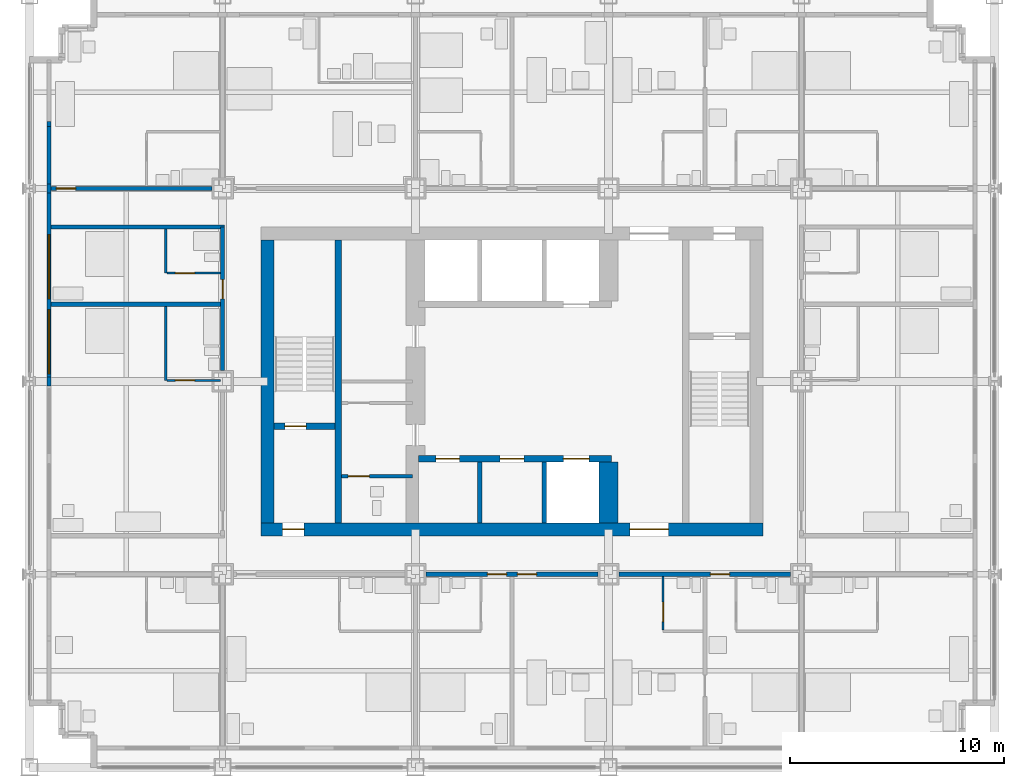
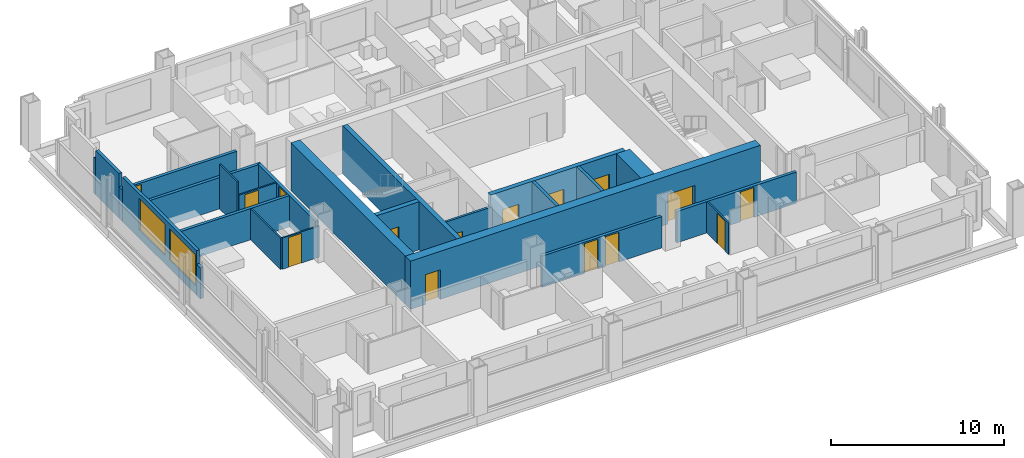
# One storey, part 10 of 17: 25 walls, 15 doors, 2 windows, 17 openings.
"""IFC4 building model written with IfcOpenShell, lengths in metres."""

from ifc_helpers import new_model, si_unit, direction, frame, frame_2d, origin, place, context, subcontext, project, spatial, rectangle, extrude, material, layer, layer_set, type_object, element, fill, save


model = new_model("IFC4")

# Units and contexts
model_context = context("Model", 3, precision=1e-05, world=origin(), true_north=direction((0.0, 1.0)))
body_context = subcontext(model_context, "Body", "Model", "MODEL_VIEW")
ifc_project = project(units=[si_unit("LENGTHUNIT", "METRE"), si_unit("AREAUNIT", "SQUARE_METRE"), si_unit("VOLUMEUNIT", "CUBIC_METRE"), si_unit("PLANEANGLEUNIT", "RADIAN"), si_unit("MASSUNIT", "GRAM", prefix="KILO")], contexts=[model_context])

# Site, building, storey
site_placement = place(None, origin())
site = spatial("IfcSite", under=ifc_project, at=site_placement, CompositionType="ELEMENT")
building_placement = place(site_placement, origin())
building = spatial("IfcBuilding", under=site, at=building_placement, Name="Loomwork Tower", CompositionType="ELEMENT")
storey_placement = place(building_placement, frame((0.0, 0.0, 152.0)))
storey = spatial("IfcBuildingStorey", under=building, at=storey_placement, Name="L41", CompositionType="ELEMENT", Elevation=152.0)

# Wall
ifc_material_1 = material(Name="Concrete 14000 psi (97 MPa)", Category="concrete")
ifc_layer_1 = layer(ifc_material_1, 0.300048828125)
ifc_layer_set_1 = layer_set([ifc_layer_1], Name="Core shear wall 300")
wall_type_1 = type_object("IfcWallType", Name="Core shear wall 300", PredefinedType="SHEAR", material=ifc_layer_set_1)
wall_1_placement = place(storey_placement, frame((14.39990234375, 11.39990234375, 0.0), z_axis=(0.0, 0.0, 1.0), x_axis=(0.0, 1.0, 0.0)))
element("IfcWall", 1, at=wall_1_placement, inside=storey, type_object=wall_type_1, Name="Stair A east wall L41", PredefinedType="SHEAR", context=body_context, shape_type="SweptSolid", body=[
    extrude(rectangle(XDim=13.2001953125, YDim=0.300048828125, at=frame_2d((6.60009765625, 0.0))), origin(), (0.0, 0.0, 1.0), 3.39990234375),
])

# Wall, opening, door
wall_2_placement = place(storey_placement, frame((11.39990234375, 15.89990234375, 0.0), z_axis=(0.0, 0.0, 1.0), x_axis=(1.0, 0.0, 0.0)))
wall_2 = element("IfcWall", 2, at=wall_2_placement, inside=storey, type_object=wall_type_1, Name="Stair A south wall L41", PredefinedType="SHEAR", context=body_context, shape_type="SweptSolid", body=[
    extrude(rectangle(XDim=2.85009765625, YDim=0.300048828125, at=frame_2d((1.425048828125, 0.0))), origin(), (0.0, 0.0, 1.0), 3.39990234375),
])
opening_1_placement = place(wall_2_placement, frame((0.5, 0.0, 0.0)))
opening_1 = element("IfcOpeningElement", 3, at=opening_1_placement, cuts=wall_2, Name="Opening D4", PredefinedType="OPENING", context=body_context, shape_type="SweptSolid", body=[
    extrude(rectangle(XDim=1.0, YDim=2.10009765625, at=frame_2d((0.5, 1.050048828125))), frame((0.0, 0.159912109375, 0.0), z_axis=(0.0, -1.0, 0.0), x_axis=(1.0, 0.0, 0.0)), (0.0, 0.0, 1.0), 0.320068359375),
])
ifc_material_2 = material(Name="Hollow metal door and frame")
door_type_1 = type_object("IfcDoorType", Name="Stair door 1000", OperationType="SINGLE_SWING_RIGHT", PredefinedType="DOOR", material=ifc_material_2)
door_1_placement = place(opening_1_placement, origin())
door_1 = element("IfcDoor", 4, at=door_1_placement, inside=storey, type_object=door_type_1, Name="Stair A door", OperationType="SINGLE_SWING_LEFT", OverallHeight=2.10009765625, OverallWidth=1.0, PredefinedType="DOOR", context=body_context, shape_type="SweptSolid", body=[
    extrude(rectangle(XDim=1.0, YDim=2.10009765625, at=frame_2d((0.5, 1.050048828125))), frame((0.0, 0.02490234375, 0.0), z_axis=(0.0, -1.0, 0.0), x_axis=(1.0, 0.0, 0.0)), (0.0, 0.0, 1.0), 0.050048828125),
])
fill(opening_1, door_1)

# Wall, openings, doors
wall_3_placement = place(storey_placement, frame((18.14990234375, 14.39990234375, 0.0), z_axis=(0.0, 0.0, 1.0), x_axis=(1.0, 0.0, 0.0)))
wall_3 = element("IfcWall", 5, at=wall_3_placement, inside=storey, type_object=wall_type_1, Name="Lift front wall south L41", PredefinedType="SHEAR", context=body_context, shape_type="SweptSolid", body=[
    extrude(rectangle(XDim=9.0, YDim=0.300048828125, at=frame_2d((4.5, 0.0))), origin(), (0.0, 0.0, 1.0), 3.39990234375),
])
opening_2_placement = place(wall_3_placement, frame((0.800048828125, 0.0, 0.0)))
opening_2 = element("IfcOpeningElement", 6, at=opening_2_placement, cuts=wall_3, Name="Opening LD1", PredefinedType="OPENING", context=body_context, shape_type="SweptSolid", body=[
    extrude(rectangle(XDim=1.10009765625, YDim=2.10009765625, at=frame_2d((0.550048828125, 1.050048828125))), frame((0.0, 0.159912109375, 0.0), z_axis=(0.0, -1.0, 0.0), x_axis=(1.0, 0.0, 0.0)), (0.0, 0.0, 1.0), 0.320068359375),
])
opening_3_placement = place(wall_3_placement, frame((3.800048828125, 0.0, 0.0)))
opening_3 = element("IfcOpeningElement", 7, at=opening_3_placement, cuts=wall_3, Name="Opening LD1", PredefinedType="OPENING", context=body_context, shape_type="SweptSolid", body=[
    extrude(rectangle(XDim=1.10009765625, YDim=2.10009765625, at=frame_2d((0.550048828125, 1.050048828125))), frame((0.0, 0.159912109375, 0.0), z_axis=(0.0, -1.0, 0.0), x_axis=(1.0, 0.0, 0.0)), (0.0, 0.0, 1.0), 0.320068359375),
])
opening_4_placement = place(wall_3_placement, frame((6.75, 0.0, 0.0)))
opening_4 = element("IfcOpeningElement", 8, at=opening_4_placement, cuts=wall_3, Name="Opening LD2", PredefinedType="OPENING", context=body_context, shape_type="SweptSolid", body=[
    extrude(rectangle(XDim=1.199951171875, YDim=2.10009765625, at=frame_2d((0.60009765625, 1.050048828125))), frame((0.0, 0.159912109375, 0.0), z_axis=(0.0, -1.0, 0.0), x_axis=(1.0, 0.0, 0.0)), (0.0, 0.0, 1.0), 0.320068359375),
])
ifc_material_3 = material(Name="Hollow metal door and frame")
door_type_2 = type_object("IfcDoorType", Name="Lift landing door 1100", OperationType="SLIDING_TO_LEFT", PredefinedType="DOOR", material=ifc_material_3)
door_2_placement = place(opening_2_placement, origin())
door_2 = element("IfcDoor", 9, at=door_2_placement, inside=storey, type_object=door_type_2, Name="Lift landing door LB1", OperationType="SLIDING_TO_LEFT", OverallHeight=2.10009765625, OverallWidth=1.10009765625, PredefinedType="DOOR", context=body_context, shape_type="SweptSolid", body=[
    extrude(rectangle(XDim=1.10009765625, YDim=2.10009765625, at=frame_2d((0.550048828125, 1.050048828125))), frame((0.0, 0.02490234375, 0.0), z_axis=(0.0, -1.0, 0.0), x_axis=(1.0, 0.0, 0.0)), (0.0, 0.0, 1.0), 0.050048828125),
])
fill(opening_2, door_2)
door_3_placement = place(opening_3_placement, origin())
door_3 = element("IfcDoor", 10, at=door_3_placement, inside=storey, type_object=door_type_2, Name="Lift landing door LB2", OperationType="SLIDING_TO_LEFT", OverallHeight=2.10009765625, OverallWidth=1.10009765625, PredefinedType="DOOR", context=body_context, shape_type="SweptSolid", body=[
    extrude(rectangle(XDim=1.10009765625, YDim=2.10009765625, at=frame_2d((0.550048828125, 1.050048828125))), frame((0.0, 0.02490234375, 0.0), z_axis=(0.0, -1.0, 0.0), x_axis=(1.0, 0.0, 0.0)), (0.0, 0.0, 1.0), 0.050048828125),
])
fill(opening_3, door_3)
ifc_material_4 = material(Name="Hollow metal door and frame")
door_type_3 = type_object("IfcDoorType", Name="Lift landing door 1200", OperationType="SLIDING_TO_LEFT", PredefinedType="DOOR", material=ifc_material_4)
door_4_placement = place(opening_4_placement, origin())
door_4 = element("IfcDoor", 11, at=door_4_placement, inside=storey, type_object=door_type_3, Name="Lift landing door LF1", OperationType="SLIDING_TO_LEFT", OverallHeight=2.10009765625, OverallWidth=1.199951171875, PredefinedType="DOOR", context=body_context, shape_type="SweptSolid", body=[
    extrude(rectangle(XDim=1.199951171875, YDim=2.10009765625, at=frame_2d((0.60009765625, 1.050048828125))), frame((0.0, 0.02490234375, 0.0), z_axis=(0.0, -1.0, 0.0), x_axis=(1.0, 0.0, 0.0)), (0.0, 0.0, 1.0), 0.050048828125),
])
fill(opening_4, door_4)

ifc_material_5 = material(Name="Concrete 14000 psi (97 MPa)", Category="concrete")
ifc_layer_2 = layer(ifc_material_5, 0.60009765625)
ifc_layer_set_2 = layer_set([ifc_layer_2], Name="Core shear wall 600")
wall_type_2 = type_object("IfcWallType", Name="Core shear wall 600", PredefinedType="SHEAR", material=ifc_layer_set_2)
wall_4_placement = place(storey_placement, frame((10.800048828125, 11.10009765625, 0.0), z_axis=(0.0, 0.0, 1.0), x_axis=(1.0, 0.0, 0.0)))
wall_4 = element("IfcWall", 12, at=wall_4_placement, inside=storey, type_object=wall_type_2, Name="Core wall south L41", PredefinedType="SHEAR", context=body_context, shape_type="SweptSolid", body=[
    extrude(rectangle(XDim=23.39990234375, YDim=0.60009765625, at=frame_2d((11.699951171875, 0.0))), origin(), (0.0, 0.0, 1.0), 3.39990234375),
])
opening_5_placement = place(wall_4_placement, frame((1.0, 0.0, 0.0)))
opening_5 = element("IfcOpeningElement", 13, at=opening_5_placement, cuts=wall_4, Name="Opening D4", PredefinedType="OPENING", context=body_context, shape_type="SweptSolid", body=[
    extrude(rectangle(XDim=1.0, YDim=2.10009765625, at=frame_2d((0.5, 1.050048828125))), frame((0.0, 0.31005859375, 0.0), z_axis=(0.0, -1.0, 0.0), x_axis=(1.0, 0.0, 0.0)), (0.0, 0.0, 1.0), 0.6201171875),
])
opening_6_placement = place(wall_4_placement, frame((17.199951171875, 0.0, 0.0)))
opening_6 = element("IfcOpeningElement", 14, at=opening_6_placement, cuts=wall_4, Name="Opening D6", PredefinedType="OPENING", context=body_context, shape_type="SweptSolid", body=[
    extrude(rectangle(XDim=1.800048828125, YDim=2.10009765625, at=frame_2d((0.89990234375, 1.050048828125))), frame((0.0, 0.31005859375, 0.0), z_axis=(0.0, -1.0, 0.0), x_axis=(1.0, 0.0, 0.0)), (0.0, 0.0, 1.0), 0.6201171875),
])
ifc_material_6 = material(Name="Hollow metal door and frame")
door_type_4 = type_object("IfcDoorType", Name="Lobby passage double door 1800", OperationType="DOUBLE_DOOR_SINGLE_SWING", PredefinedType="DOOR", material=ifc_material_6)
door_5_placement = place(opening_6_placement, origin())
door_5 = element("IfcDoor", 15, at=door_5_placement, inside=storey, type_object=door_type_4, Name="Lobby passage door south", OperationType="DOUBLE_DOOR_SINGLE_SWING", OverallHeight=2.10009765625, OverallWidth=1.800048828125, PredefinedType="DOOR", context=body_context, shape_type="SweptSolid", body=[
    extrude(rectangle(XDim=1.800048828125, YDim=2.10009765625, at=frame_2d((0.89990234375, 1.050048828125))), frame((0.0, 0.02490234375, 0.0), z_axis=(0.0, -1.0, 0.0), x_axis=(1.0, 0.0, 0.0)), (0.0, 0.0, 1.0), 0.050048828125),
])
fill(opening_6, door_5)
door_6_placement = place(opening_5_placement, origin())
door_6 = element("IfcDoor", 16, at=door_6_placement, inside=storey, type_object=door_type_1, Name="Stair A vestibule door", OperationType="SINGLE_SWING_LEFT", OverallHeight=2.10009765625, OverallWidth=1.0, PredefinedType="DOOR", context=body_context, shape_type="SweptSolid", body=[
    extrude(rectangle(XDim=1.0, YDim=2.10009765625, at=frame_2d((0.5, 1.050048828125))), frame((0.0, 0.02490234375, 0.0), z_axis=(0.0, -1.0, 0.0), x_axis=(1.0, 0.0, 0.0)), (0.0, 0.0, 1.0), 0.050048828125),
])
fill(opening_5, door_6)

# Walls
wall_5_placement = place(storey_placement, frame((11.10009765625, 11.39990234375, 0.0), z_axis=(0.0, 0.0, 1.0), x_axis=(0.0, 1.0, 0.0)))
element("IfcWall", 17, at=wall_5_placement, inside=storey, type_object=wall_type_2, Name="Core wall west L41", PredefinedType="SHEAR", context=body_context, shape_type="SweptSolid", body=[
    extrude(rectangle(XDim=13.2001953125, YDim=0.60009765625, at=frame_2d((6.60009765625, 0.0))), origin(), (0.0, 0.0, 1.0), 3.39990234375),
])
ifc_material_7 = material(Name="Concrete 14000 psi (97 MPa)", Category="concrete")
ifc_layer_3 = layer(ifc_material_7, 0.89990234375)
ifc_layer_set_3 = layer_set([ifc_layer_3], Name="Core shear wall 900")
wall_type_3 = type_object("IfcWallType", Name="Core shear wall 900", PredefinedType="SHEAR", material=ifc_layer_set_3)
wall_6_placement = place(storey_placement, frame((27.0, 11.39990234375, 0.0), z_axis=(0.0, 0.0, 1.0), x_axis=(0.0, 1.0, 0.0)))
element("IfcWall", 18, at=wall_6_placement, inside=storey, type_object=wall_type_3, Name="Lift shaft end wall south L41", PredefinedType="SHEAR", context=body_context, shape_type="SweptSolid", body=[
    extrude(rectangle(XDim=2.85009765625, YDim=0.89990234375, at=frame_2d((1.425048828125, 0.0))), origin(), (0.0, 0.0, 1.0), 3.39990234375),
])

# Wall, openings, doors
ifc_material_8 = material(Name="Gypsum board on steel studs, one-hour", Category="steel")
ifc_layer_4 = layer(ifc_material_8, 0.199951171875)
ifc_layer_set_4 = layer_set([ifc_layer_4], Name="Corridor wall 200")
wall_type_4 = type_object("IfcWallType", Name="Corridor wall 200", PredefinedType="PARTITIONING", material=ifc_layer_set_4)
wall_7_placement = place(storey_placement, frame((18.5, 9.0, 0.0), z_axis=(0.0, 0.0, 1.0), x_axis=(1.0, 0.0, 0.0)))
wall_7 = element("IfcWall", 19, at=wall_7_placement, inside=storey, type_object=wall_type_4, Name="South corridor wall 3", PredefinedType="PARTITIONING", context=body_context, shape_type="SweptSolid", body=[
    extrude(rectangle(XDim=8.0, YDim=0.199951171875, at=frame_2d((4.0, 0.0))), origin(), (0.0, 0.0, 1.0), 2.210205078125),
])
opening_7_placement = place(wall_7_placement, frame((2.85009765625, 0.0, 0.0)))
opening_7 = element("IfcOpeningElement", 20, at=opening_7_placement, cuts=wall_7, Name="Opening D1", PredefinedType="OPENING", context=body_context, shape_type="SweptSolid", body=[
    extrude(rectangle(XDim=0.89990234375, YDim=2.10009765625, at=frame_2d((0.449951171875, 1.050048828125))), frame((0.0, 0.10986328125, 0.0), z_axis=(0.0, -1.0, 0.0), x_axis=(1.0, 0.0, 0.0)), (0.0, 0.0, 1.0), 0.219970703125),
])
opening_8_placement = place(wall_7_placement, frame((4.25, 0.0, 0.0)))
opening_8 = element("IfcOpeningElement", 21, at=opening_8_placement, cuts=wall_7, Name="Opening D1", PredefinedType="OPENING", context=body_context, shape_type="SweptSolid", body=[
    extrude(rectangle(XDim=0.89990234375, YDim=2.10009765625, at=frame_2d((0.449951171875, 1.050048828125))), frame((0.0, 0.10986328125, 0.0), z_axis=(0.0, -1.0, 0.0), x_axis=(1.0, 0.0, 0.0)), (0.0, 0.0, 1.0), 0.219970703125),
])
ifc_material_9 = material(Name="Hollow metal door and frame")
door_type_5 = type_object("IfcDoorType", Name="Guest room entry door 900", OperationType="SINGLE_SWING_LEFT", PredefinedType="DOOR", material=ifc_material_9)
door_7_placement = place(opening_7_placement, frame((0.89990234375, 0.0, 0.0), z_axis=(0.0, 0.0, 1.0), x_axis=(-1.0, 0.0, 0.0)))
door_7 = element("IfcDoor", 22, at=door_7_placement, inside=storey, type_object=door_type_5, Name="Guest room entry door L41 3", OperationType="SINGLE_SWING_LEFT", OverallHeight=2.10009765625, OverallWidth=0.89990234375, PredefinedType="DOOR", context=body_context, shape_type="SweptSolid", body=[
    extrude(rectangle(XDim=0.89990234375, YDim=2.10009765625, at=frame_2d((0.449951171875, 1.050048828125))), frame((0.0, 0.02490234375, 0.0), z_axis=(0.0, -1.0, 0.0), x_axis=(1.0, 0.0, 0.0)), (0.0, 0.0, 1.0), 0.050048828125),
])
fill(opening_7, door_7)
door_8_placement = place(opening_8_placement, frame((0.89990234375, 0.0, 0.0), z_axis=(0.0, 0.0, 1.0), x_axis=(-1.0, 0.0, 0.0)))
door_8 = element("IfcDoor", 23, at=door_8_placement, inside=storey, type_object=door_type_5, Name="Guest room entry door L41 4", OperationType="SINGLE_SWING_RIGHT", OverallHeight=2.10009765625, OverallWidth=0.89990234375, PredefinedType="DOOR", context=body_context, shape_type="SweptSolid", body=[
    extrude(rectangle(XDim=0.89990234375, YDim=2.10009765625, at=frame_2d((0.449951171875, 1.050048828125))), frame((0.0, 0.02490234375, 0.0), z_axis=(0.0, -1.0, 0.0), x_axis=(1.0, 0.0, 0.0)), (0.0, 0.0, 1.0), 0.050048828125),
])
fill(opening_8, door_8)

# Wall, opening, door
wall_8_placement = place(storey_placement, frame((27.5, 9.0, 0.0), z_axis=(0.0, 0.0, 1.0), x_axis=(1.0, 0.0, 0.0)))
wall_8 = element("IfcWall", 24, at=wall_8_placement, inside=storey, type_object=wall_type_4, Name="South corridor wall 4", PredefinedType="PARTITIONING", context=body_context, shape_type="SweptSolid", body=[
    extrude(rectangle(XDim=8.0, YDim=0.199951171875, at=frame_2d((4.0, 0.0))), origin(), (0.0, 0.0, 1.0), 2.210205078125),
])
opening_9_placement = place(wall_8_placement, frame((4.25, 0.0, 0.0)))
opening_9 = element("IfcOpeningElement", 25, at=opening_9_placement, cuts=wall_8, Name="Opening D1", PredefinedType="OPENING", context=body_context, shape_type="SweptSolid", body=[
    extrude(rectangle(XDim=0.89990234375, YDim=2.10009765625, at=frame_2d((0.449951171875, 1.050048828125))), frame((0.0, 0.10986328125, 0.0), z_axis=(0.0, -1.0, 0.0), x_axis=(1.0, 0.0, 0.0)), (0.0, 0.0, 1.0), 0.219970703125),
])
door_9_placement = place(opening_9_placement, frame((0.89990234375, 0.0, 0.0), z_axis=(0.0, 0.0, 1.0), x_axis=(-1.0, 0.0, 0.0)))
door_9 = element("IfcDoor", 26, at=door_9_placement, inside=storey, type_object=door_type_5, Name="Guest room entry door L41 5", OperationType="SINGLE_SWING_RIGHT", OverallHeight=2.10009765625, OverallWidth=0.89990234375, PredefinedType="DOOR", context=body_context, shape_type="SweptSolid", body=[
    extrude(rectangle(XDim=0.89990234375, YDim=2.10009765625, at=frame_2d((0.449951171875, 1.050048828125))), frame((0.0, 0.02490234375, 0.0), z_axis=(0.0, -1.0, 0.0), x_axis=(1.0, 0.0, 0.0)), (0.0, 0.0, 1.0), 0.050048828125),
])
fill(opening_9, door_9)

wall_9_placement = place(storey_placement, frame((1.0, 27.0, 0.0), z_axis=(0.0, 0.0, 1.0), x_axis=(1.0, 0.0, 0.0)))
wall_9 = element("IfcWall", 27, at=wall_9_placement, inside=storey, type_object=wall_type_4, Name="North corridor wall 1", PredefinedType="PARTITIONING", context=body_context, shape_type="SweptSolid", body=[
    extrude(rectangle(XDim=7.5, YDim=0.199951171875, at=frame_2d((3.75, 0.0))), origin(), (0.0, 0.0, 1.0), 2.210205078125),
])
opening_10_placement = place(wall_9_placement, frame((0.25, 0.0, 0.0)))
opening_10 = element("IfcOpeningElement", 28, at=opening_10_placement, cuts=wall_9, Name="Opening D1", PredefinedType="OPENING", context=body_context, shape_type="SweptSolid", body=[
    extrude(rectangle(XDim=0.89990234375, YDim=2.10009765625, at=frame_2d((0.449951171875, 1.050048828125))), frame((0.0, 0.10986328125, 0.0), z_axis=(0.0, -1.0, 0.0), x_axis=(1.0, 0.0, 0.0)), (0.0, 0.0, 1.0), 0.219970703125),
])
door_10_placement = place(opening_10_placement, origin())
door_10 = element("IfcDoor", 29, at=door_10_placement, inside=storey, type_object=door_type_5, Name="Guest room entry door L41 7", OperationType="SINGLE_SWING_LEFT", OverallHeight=2.10009765625, OverallWidth=0.89990234375, PredefinedType="DOOR", context=body_context, shape_type="SweptSolid", body=[
    extrude(rectangle(XDim=0.89990234375, YDim=2.10009765625, at=frame_2d((0.449951171875, 1.050048828125))), frame((0.0, 0.02490234375, 0.0), z_axis=(0.0, -1.0, 0.0), x_axis=(1.0, 0.0, 0.0)), (0.0, 0.0, 1.0), 0.050048828125),
])
fill(opening_10, door_10)

wall_10_placement = place(storey_placement, frame((9.0, 18.5, 0.0), z_axis=(0.0, 0.0, 1.0), x_axis=(0.0, 1.0, 0.0)))
wall_10 = element("IfcWall", 30, at=wall_10_placement, inside=storey, type_object=wall_type_4, Name="West corridor wall 2", PredefinedType="PARTITIONING", context=body_context, shape_type="SweptSolid", body=[
    extrude(rectangle(XDim=6.699951171875, YDim=0.199951171875, at=frame_2d((3.35009765625, 0.0))), origin(), (0.0, 0.0, 1.0), 2.210205078125),
])
opening_11_placement = place(wall_10_placement, frame((3.35009765625, 0.0, 0.0)))
opening_11 = element("IfcOpeningElement", 31, at=opening_11_placement, cuts=wall_10, Name="Opening D1", PredefinedType="OPENING", context=body_context, shape_type="SweptSolid", body=[
    extrude(rectangle(XDim=0.89990234375, YDim=2.10009765625, at=frame_2d((0.449951171875, 1.050048828125))), frame((0.0, 0.10986328125, 0.0), z_axis=(0.0, -1.0, 0.0), x_axis=(1.0, 0.0, 0.0)), (0.0, 0.0, 1.0), 0.219970703125),
])
door_11_placement = place(opening_11_placement, origin())
door_11 = element("IfcDoor", 32, at=door_11_placement, inside=storey, type_object=door_type_5, Name="Guest room entry door L41 14", OperationType="SINGLE_SWING_LEFT", OverallHeight=2.10009765625, OverallWidth=0.89990234375, PredefinedType="DOOR", context=body_context, shape_type="SweptSolid", body=[
    extrude(rectangle(XDim=0.89990234375, YDim=2.10009765625, at=frame_2d((0.449951171875, 1.050048828125))), frame((0.0, 0.02490234375, 0.0), z_axis=(0.0, -1.0, 0.0), x_axis=(1.0, 0.0, 0.0)), (0.0, 0.0, 1.0), 0.050048828125),
])
fill(opening_11, door_11)

# Wall
wall_11_placement = place(storey_placement, frame((1.0, 25.199951171875, 0.0), z_axis=(0.0, 0.0, 1.0), x_axis=(1.0, 0.0, 0.0)))
element("IfcWall", 33, at=wall_11_placement, inside=storey, type_object=wall_type_4, Name="West band end wall N", PredefinedType="PARTITIONING", context=body_context, shape_type="SweptSolid", body=[
    extrude(rectangle(XDim=8.10009765625, YDim=0.199951171875, at=frame_2d((4.050048828125, 0.0))), origin(), (0.0, 0.0, 1.0), 2.2099609375),
])

# Wall, opening, door
ifc_material_10 = material(Name="Cement board on steel studs", Category="steel")
ifc_layer_5 = layer(ifc_material_10, 0.10009765625)
ifc_layer_set_5 = layer_set([ifc_layer_5], Name="En-suite partition 100")
wall_type_5 = type_object("IfcWallType", Name="En-suite partition 100", PredefinedType="PARTITIONING", material=ifc_layer_set_5)
wall_12_placement = place(storey_placement, frame((29.550048828125, 8.89990234375, 0.0), z_axis=(0.0, 0.0, 1.0), x_axis=(0.0, -1.0, 0.0)))
wall_12 = element("IfcWall", 34, at=wall_12_placement, inside=storey, type_object=wall_type_5, Name="En-suite side wall L41 room 4", PredefinedType="PARTITIONING", context=body_context, shape_type="SweptSolid", body=[
    extrude(rectangle(XDim=2.5, YDim=0.10009765625, at=frame_2d((1.25, 0.0))), origin(), (0.0, 0.0, 1.0), 2.2099609375),
])
opening_12_placement = place(wall_12_placement, frame((1.199951171875, 0.0, 0.0)))
opening_12 = element("IfcOpeningElement", 35, at=opening_12_placement, cuts=wall_12, Name="Opening D2", PredefinedType="OPENING", context=body_context, shape_type="SweptSolid", body=[
    extrude(rectangle(XDim=0.89990234375, YDim=2.10009765625, at=frame_2d((0.449951171875, 1.050048828125))), frame((0.0, 0.06005859375, 0.0), z_axis=(0.0, -1.0, 0.0), x_axis=(1.0, 0.0, 0.0)), (0.0, 0.0, 1.0), 0.1201171875),
])
ifc_material_11 = material(Name="Hollow metal door and frame")
door_type_6 = type_object("IfcDoorType", Name="En-suite door 900", OperationType="SINGLE_SWING_LEFT", PredefinedType="DOOR", material=ifc_material_11)
door_12_placement = place(opening_12_placement, origin())
door_12 = element("IfcDoor", 36, at=door_12_placement, inside=storey, type_object=door_type_6, Name="Suite powder room door room 4", OperationType="SINGLE_SWING_RIGHT", OverallHeight=2.10009765625, OverallWidth=0.89990234375, PredefinedType="DOOR", context=body_context, shape_type="SweptSolid", body=[
    extrude(rectangle(XDim=0.89990234375, YDim=2.10009765625, at=frame_2d((0.449951171875, 1.050048828125))), frame((0.0, 0.02490234375, 0.0), z_axis=(0.0, -1.0, 0.0), x_axis=(1.0, 0.0, 0.0)), (0.0, 0.0, 1.0), 0.050048828125),
])
fill(opening_12, door_12)

# Wall
wall_13_placement = place(storey_placement, frame((6.35009765625, 18.050048828125, 0.0), z_axis=(0.0, 0.0, 1.0), x_axis=(0.0, 1.0, 0.0)))
element("IfcWall", 37, at=wall_13_placement, inside=storey, type_object=wall_type_5, Name="En-suite wall L41 room 13", PredefinedType="PARTITIONING", context=body_context, shape_type="SweptSolid", body=[
    extrude(rectangle(XDim=3.449951171875, YDim=0.10009765625, at=frame_2d((1.72509765625, 0.0))), origin(), (0.0, 0.0, 1.0), 2.201904296875),
])

# Wall, opening, door
wall_14_placement = place(storey_placement, frame((8.89990234375, 18.050048828125, 0.0), z_axis=(0.0, 0.0, 1.0), x_axis=(-1.0, 0.0, 0.0)))
wall_14 = element("IfcWall", 38, at=wall_14_placement, inside=storey, type_object=wall_type_5, Name="En-suite side wall L41 room 13", PredefinedType="PARTITIONING", context=body_context, shape_type="SweptSolid", body=[
    extrude(rectangle(XDim=2.5, YDim=0.10009765625, at=frame_2d((1.25, 0.0))), origin(), (0.0, 0.0, 1.0), 2.20263671875),
])
opening_13_placement = place(wall_14_placement, frame((1.199951171875, 0.0, 0.0)))
opening_13 = element("IfcOpeningElement", 39, at=opening_13_placement, cuts=wall_14, Name="Opening D2", PredefinedType="OPENING", context=body_context, shape_type="SweptSolid", body=[
    extrude(rectangle(XDim=0.89990234375, YDim=2.10009765625, at=frame_2d((0.449951171875, 1.050048828125))), frame((0.0, 0.06005859375, 0.0), z_axis=(0.0, -1.0, 0.0), x_axis=(1.0, 0.0, 0.0)), (0.0, 0.0, 1.0), 0.1201171875),
])
door_13_placement = place(opening_13_placement, frame((0.89990234375, 0.0, 0.0), z_axis=(0.0, 0.0, 1.0), x_axis=(-1.0, 0.0, 0.0)))
door_13 = element("IfcDoor", 40, at=door_13_placement, inside=storey, type_object=door_type_6, Name="En-suite door room 13", OperationType="SINGLE_SWING_LEFT", OverallHeight=2.10009765625, OverallWidth=0.89990234375, PredefinedType="DOOR", context=body_context, shape_type="SweptSolid", body=[
    extrude(rectangle(XDim=0.89990234375, YDim=2.10009765625, at=frame_2d((0.449951171875, 1.050048828125))), frame((0.0, 0.02490234375, 0.0), z_axis=(0.0, -1.0, 0.0), x_axis=(1.0, 0.0, 0.0)), (0.0, 0.0, 1.0), 0.050048828125),
])
fill(opening_13, door_13)

# Wall
wall_15_placement = place(storey_placement, frame((6.35009765625, 23.050048828125, 0.0), z_axis=(0.0, 0.0, 1.0), x_axis=(0.0, 1.0, 0.0)))
element("IfcWall", 41, at=wall_15_placement, inside=storey, type_object=wall_type_5, Name="En-suite wall L41 room 14", PredefinedType="PARTITIONING", context=body_context, shape_type="SweptSolid", body=[
    extrude(rectangle(XDim=2.050048828125, YDim=0.10009765625, at=frame_2d((1.02490234375, 0.0))), origin(), (0.0, 0.0, 1.0), 3.14990234375),
])

# Wall, opening, door
wall_16_placement = place(storey_placement, frame((8.89990234375, 23.050048828125, 0.0), z_axis=(0.0, 0.0, 1.0), x_axis=(-1.0, 0.0, 0.0)))
wall_16 = element("IfcWall", 42, at=wall_16_placement, inside=storey, type_object=wall_type_5, Name="En-suite side wall L41 room 14", PredefinedType="PARTITIONING", context=body_context, shape_type="SweptSolid", body=[
    extrude(rectangle(XDim=2.5, YDim=0.10009765625, at=frame_2d((1.25, 0.0))), origin(), (0.0, 0.0, 1.0), 2.2099609375),
])
opening_14_placement = place(wall_16_placement, frame((1.199951171875, 0.0, 0.0)))
opening_14 = element("IfcOpeningElement", 43, at=opening_14_placement, cuts=wall_16, Name="Opening D2", PredefinedType="OPENING", context=body_context, shape_type="SweptSolid", body=[
    extrude(rectangle(XDim=0.89990234375, YDim=2.10009765625, at=frame_2d((0.449951171875, 1.050048828125))), frame((0.0, 0.06005859375, 0.0), z_axis=(0.0, -1.0, 0.0), x_axis=(1.0, 0.0, 0.0)), (0.0, 0.0, 1.0), 0.1201171875),
])
door_14_placement = place(opening_14_placement, frame((0.89990234375, 0.0, 0.0), z_axis=(0.0, 0.0, 1.0), x_axis=(-1.0, 0.0, 0.0)))
door_14 = element("IfcDoor", 44, at=door_14_placement, inside=storey, type_object=door_type_6, Name="En-suite door room 14", OperationType="SINGLE_SWING_LEFT", OverallHeight=2.10009765625, OverallWidth=0.89990234375, PredefinedType="DOOR", context=body_context, shape_type="SweptSolid", body=[
    extrude(rectangle(XDim=0.89990234375, YDim=2.10009765625, at=frame_2d((0.449951171875, 1.050048828125))), frame((0.0, 0.02490234375, 0.0), z_axis=(0.0, -1.0, 0.0), x_axis=(1.0, 0.0, 0.0)), (0.0, 0.0, 1.0), 0.050048828125),
])
fill(opening_14, door_14)

# Walls
ifc_material_12 = material(Name="Gypsum board on steel studs, acoustic", Category="steel")
ifc_layer_6 = layer(ifc_material_12, 0.199951171875)
ifc_layer_set_6 = layer_set([ifc_layer_6], Name="Guest room party wall 200")
wall_type_6 = type_object("IfcWallType", Name="Guest room party wall 200", PredefinedType="PARTITIONING", material=ifc_layer_set_6)
wall_17_placement = place(storey_placement, frame((8.89990234375, 21.60009765625, 0.0), z_axis=(0.0, 0.0, 1.0), x_axis=(-1.0, 0.0, 0.0)))
element("IfcWall", 45, at=wall_17_placement, inside=storey, type_object=wall_type_6, Name="Guest room party wall W 21.6", PredefinedType="PARTITIONING", context=body_context, shape_type="SweptSolid", body=[
    extrude(rectangle(XDim=7.89990234375, YDim=0.199951171875, at=frame_2d((3.949951171875, 0.0))), origin(), (0.0, 0.0, 1.0), 2.2099609375),
])
ifc_material_13 = material(Name="Insulated steel stud wall with gypsum lining", Category="steel")
ifc_layer_7 = layer(ifc_material_13, 0.199951171875)
ifc_layer_set_7 = layer_set([ifc_layer_7], Name="Inner skin wall 200")
wall_type_7 = type_object("IfcWallType", Name="Inner skin wall 200", PredefinedType="SOLIDWALL", material=ifc_layer_set_7)
wall_18_placement = place(storey_placement, frame((0.89990234375, 17.785888671875, 0.0), z_axis=(0.0, 0.0, 1.0), x_axis=(0.0, 1.0, 0.0)))
element("IfcWall", 46, at=wall_18_placement, inside=storey, type_object=wall_type_7, Name="Inner skin wall W bay 7", PredefinedType="SOLIDWALL", context=body_context, shape_type="SweptSolid", body=[
    extrude(rectangle(XDim=0.42822265625, YDim=0.199951171875, at=frame_2d((0.214111328125, 0.0))), origin(), (0.0, 0.0, 1.0), 2.201904296875),
])

# Wall, openings, windows
wall_19_placement = place(storey_placement, frame((0.89990234375, 18.214111328125, 0.0), z_axis=(0.0, 0.0, 1.0), x_axis=(0.0, 1.0, 0.0)))
wall_19 = element("IfcWall", 47, at=wall_19_placement, inside=storey, type_object=wall_type_7, Name="Inner skin wall W bay 8", PredefinedType="SOLIDWALL", context=body_context, shape_type="SweptSolid", body=[
    extrude(rectangle(XDim=8.570556640625, YDim=0.199951171875, at=frame_2d((4.28515625, 0.0))), origin(), (0.0, 0.0, 1.0), 3.14990234375),
])
opening_15_placement = place(wall_19_placement, frame((0.135986328125, 0.0, 0.60009765625)))
opening_15 = element("IfcOpeningElement", 48, at=opening_15_placement, cuts=wall_19, Name="Opening CH1", PredefinedType="OPENING", context=body_context, shape_type="SweptSolid", body=[
    extrude(rectangle(XDim=3.0, YDim=2.199951171875, at=frame_2d((1.5, 1.10009765625))), frame((0.0, 0.10986328125, 0.0), z_axis=(0.0, -1.0, 0.0), x_axis=(1.0, 0.0, 0.0)), (0.0, 0.0, 1.0), 0.219970703125),
])
opening_16_placement = place(wall_19_placement, frame((3.635986328125, 0.0, 0.60009765625)))
opening_16 = element("IfcOpeningElement", 49, at=opening_16_placement, cuts=wall_19, Name="Opening CH1", PredefinedType="OPENING", context=body_context, shape_type="SweptSolid", body=[
    extrude(rectangle(XDim=3.0, YDim=2.199951171875, at=frame_2d((1.5, 1.10009765625))), frame((0.0, 0.10986328125, 0.0), z_axis=(0.0, -1.0, 0.0), x_axis=(1.0, 0.0, 0.0)), (0.0, 0.0, 1.0), 0.219970703125),
])
ifc_material_14 = material(Name="Aluminium frame with clear insulated glass", Category="aluminium")
window_type = type_object("IfcWindowType", Name="Chicago window 3000", PartitioningType="TRIPLE_PANEL_VERTICAL", PredefinedType="WINDOW", material=ifc_material_14)
window_1_placement = place(opening_15_placement, origin())
window_1 = element("IfcWindow", 50, at=window_1_placement, inside=storey, type_object=window_type, Name="Chicago window L41 bay 12", OverallHeight=2.199951171875, OverallWidth=3.0, PartitioningType="TRIPLE_PANEL_VERTICAL", PredefinedType="WINDOW", context=body_context, shape_type="SweptSolid", body=[
    extrude(rectangle(XDim=3.0, YDim=2.199951171875, at=frame_2d((1.5, 1.10009765625))), frame((0.0, 0.030029296875, 0.0), z_axis=(0.0, -1.0, 0.0), x_axis=(1.0, 0.0, 0.0)), (0.0, 0.0, 1.0), 0.06005859375),
])
fill(opening_15, window_1)
window_2_placement = place(opening_16_placement, origin())
window_2 = element("IfcWindow", 51, at=window_2_placement, inside=storey, type_object=window_type, Name="Chicago window L41 bay 12", OverallHeight=2.199951171875, OverallWidth=3.0, PartitioningType="TRIPLE_PANEL_VERTICAL", PredefinedType="WINDOW", context=body_context, shape_type="SweptSolid", body=[
    extrude(rectangle(XDim=3.0, YDim=2.199951171875, at=frame_2d((1.5, 1.10009765625))), frame((0.0, 0.030029296875, 0.0), z_axis=(0.0, -1.0, 0.0), x_axis=(1.0, 0.0, 0.0)), (0.0, 0.0, 1.0), 0.06005859375),
])
fill(opening_16, window_2)

# Walls
wall_20_placement = place(storey_placement, frame((0.89990234375, 26.78466796875, 0.0), z_axis=(0.0, 0.0, 1.0), x_axis=(0.0, 1.0, 0.0)))
element("IfcWall", 52, at=wall_20_placement, inside=storey, type_object=wall_type_7, Name="Inner skin wall W bay 9", PredefinedType="SOLIDWALL", context=body_context, shape_type="SweptSolid", body=[
    extrude(rectangle(XDim=0.4306640625, YDim=0.199951171875, at=frame_2d((0.21533203125, 0.0))), origin(), (0.0, 0.0, 1.0), 2.2099609375),
])
wall_21_placement = place(storey_placement, frame((0.89990234375, 27.21533203125, 0.0), z_axis=(0.0, 0.0, 1.0), x_axis=(0.0, 1.0, 0.0)))
element("IfcWall", 53, at=wall_21_placement, inside=storey, type_object=wall_type_7, Name="Inner skin wall W bay 10", PredefinedType="SOLIDWALL", context=body_context, shape_type="SweptSolid", body=[
    extrude(rectangle(XDim=2.66845703125, YDim=0.199951171875, at=frame_2d((1.334228515625, 0.0))), origin(), (0.0, 0.0, 1.0), 3.14990234375),
])
wall_22_placement = place(storey_placement, frame((0.89990234375, 29.8837890625, 0.0), z_axis=(0.0, 0.0, 1.0), x_axis=(0.0, 1.0, 0.0)))
element("IfcWall", 54, at=wall_22_placement, inside=storey, type_object=wall_type_7, Name="Inner skin wall W bay 11", PredefinedType="SOLIDWALL", context=body_context, shape_type="SweptSolid", body=[
    extrude(rectangle(XDim=0.232421875, YDim=0.199951171875, at=frame_2d((0.1162109375, 0.0))), origin(), (0.0, 0.0, 1.0), 2.5419921875),
])
ifc_material_15 = material(Name="Concrete 14000 psi (97 MPa)", Category="concrete")
ifc_layer_8 = layer(ifc_material_15, 0.199951171875)
ifc_layer_set_8 = layer_set([ifc_layer_8], Name="Lift shaft wall 200")
wall_type_8 = type_object("IfcWallType", Name="Lift shaft wall 200", PredefinedType="SHEAR", material=ifc_layer_set_8)
for number, where, z_axis, x_axis, name in (
    (55, (21.0, 11.39990234375, 0.0), (0.0, 0.0, 1.0), (0.0, 1.0, 0.0), "Lift shaft separation wall south 1 L41"),
    (56, (24.0, 11.39990234375, 0.0), (0.0, 0.0, 1.0), (0.0, 1.0, 0.0), "Lift shaft separation wall south 2 L41"),
):
    element("IfcWall", number, at=place(storey_placement, frame(where, z_axis=z_axis, x_axis=x_axis)), inside=storey, type_object=wall_type_8, Name=name, PredefinedType="SHEAR", context=body_context, shape_type="SweptSolid", body=[
        extrude(rectangle(XDim=2.85009765625, YDim=0.199951171875, at=frame_2d((1.425048828125, 0.0))), origin(), (0.0, 0.0, 1.0), 3.39990234375),
    ])

# Wall, opening, door
ifc_material_16 = material(Name="Gypsum board on steel studs, one-hour", Category="steel")
ifc_layer_9 = layer(ifc_material_16, 0.14990234375)
ifc_layer_set_9 = layer_set([ifc_layer_9], Name="Service partition 150")
wall_type_9 = type_object("IfcWallType", Name="Service partition 150", PredefinedType="PARTITIONING", material=ifc_layer_set_9)
wall_23_placement = place(storey_placement, frame((14.550048828125, 13.574951171875, 0.0), z_axis=(0.0, 0.0, 1.0), x_axis=(1.0, 0.0, 0.0)))
wall_23 = element("IfcWall", 57, at=wall_23_placement, inside=storey, type_object=wall_type_9, Name="Back-of-house partition L41", PredefinedType="PARTITIONING", context=body_context, shape_type="SweptSolid", body=[
    extrude(rectangle(XDim=3.300048828125, YDim=0.14990234375, at=frame_2d((1.64990234375, 0.0))), origin(), (0.0, 0.0, 1.0), 3.14990234375),
])
opening_17_placement = place(wall_23_placement, frame((0.300048828125, 0.0, 0.0)))
opening_17 = element("IfcOpeningElement", 58, at=opening_17_placement, cuts=wall_23, Name="Opening D5", PredefinedType="OPENING", context=body_context, shape_type="SweptSolid", body=[
    extrude(rectangle(XDim=1.0, YDim=2.10009765625, at=frame_2d((0.5, 1.050048828125))), frame((0.0, 0.0849609375, 0.0), z_axis=(0.0, -1.0, 0.0), x_axis=(1.0, 0.0, 0.0)), (0.0, 0.0, 1.0), 0.169921875),
])
ifc_material_17 = material(Name="Hollow metal door and frame")
door_type_7 = type_object("IfcDoorType", Name="Service door 1000", OperationType="SINGLE_SWING_LEFT", PredefinedType="DOOR", material=ifc_material_17)
door_15_placement = place(opening_17_placement, frame((1.0, 0.0, 0.0), z_axis=(0.0, 0.0, 1.0), x_axis=(-1.0, 0.0, 0.0)))
door_15 = element("IfcDoor", 59, at=door_15_placement, inside=storey, type_object=door_type_7, Name="Back-of-house room door", OperationType="SINGLE_SWING_RIGHT", OverallHeight=2.10009765625, OverallWidth=1.0, PredefinedType="DOOR", context=body_context, shape_type="SweptSolid", body=[
    extrude(rectangle(XDim=1.0, YDim=2.10009765625, at=frame_2d((0.5, 1.050048828125))), frame((0.0, 0.02490234375, 0.0), z_axis=(0.0, -1.0, 0.0), x_axis=(1.0, 0.0, 0.0)), (0.0, 0.0, 1.0), 0.050048828125),
])
fill(opening_17, door_15)

save(model, "model.ifc")
